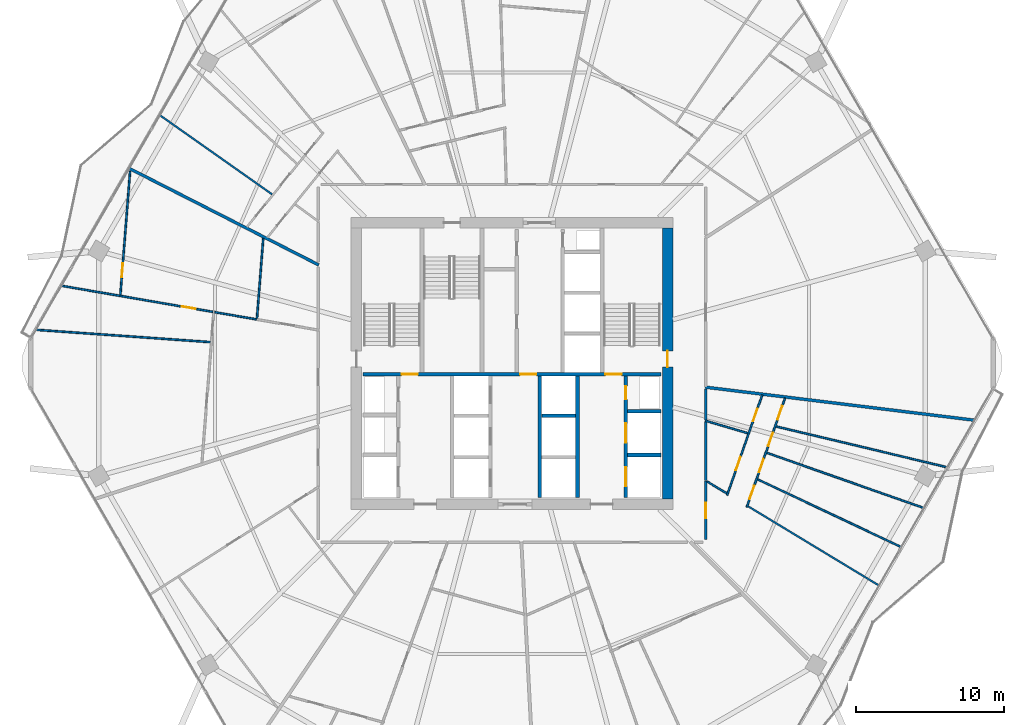
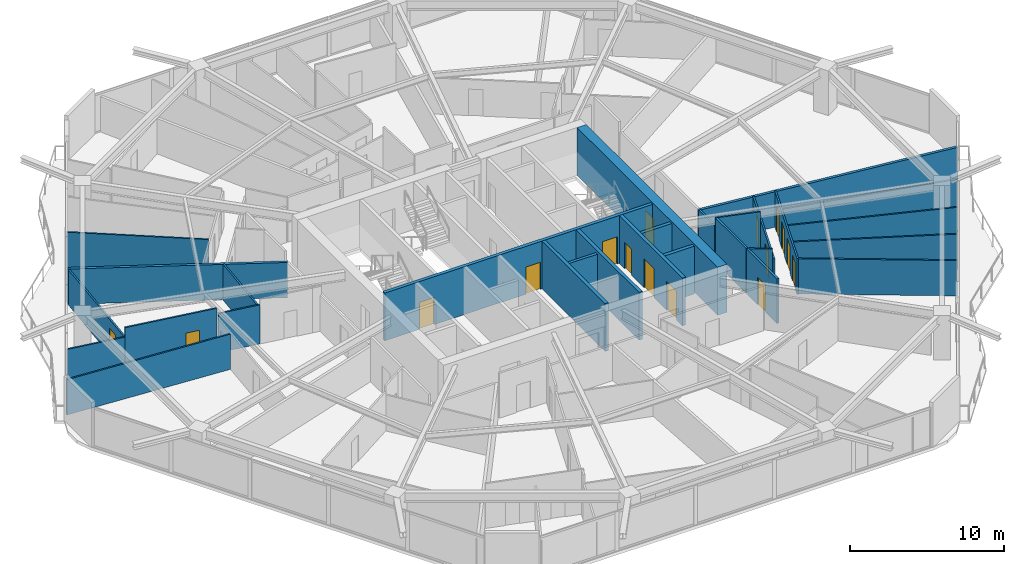
# One storey, part 25 of 32: 28 walls, 16 doors, 16 openings.
"""IFC4 building model written with IfcOpenShell, lengths in metres."""

from ifc_helpers import new_model, si_unit, direction, frame, frame_2d, origin, place, context, subcontext, project, spatial, rectangle, extrude, material, layer, layer_set, type_object, element, fill, save


model = new_model("IFC4")

# Units and contexts
model_context = context("Model", 3, precision=1e-05, world=origin(), true_north=direction((0.0, 1.0)))
body_context = subcontext(model_context, "Body", "Model", "MODEL_VIEW")
ifc_project = project(units=[si_unit("LENGTHUNIT", "METRE"), si_unit("AREAUNIT", "SQUARE_METRE"), si_unit("VOLUMEUNIT", "CUBIC_METRE"), si_unit("PLANEANGLEUNIT", "RADIAN"), si_unit("MASSUNIT", "GRAM", prefix="KILO")], contexts=[model_context])

# Site, building, storey
site_placement = place(None, origin())
site = spatial("IfcSite", under=ifc_project, at=site_placement, CompositionType="ELEMENT")
building_placement = place(site_placement, origin())
building = spatial("IfcBuilding", under=site, at=building_placement, Name="Zuhravey Tower", CompositionType="ELEMENT")
storey_placement = place(building_placement, frame((0.0, 0.0, 119.0)))
storey = spatial("IfcBuildingStorey", under=building, at=storey_placement, Name="L29", CompositionType="ELEMENT", Elevation=119.0)

# Wall, opening, door
ifc_material_1 = material(Name="Concrete C60/75", Category="concrete")
ifc_layer_1 = layer(ifc_material_1, 0.699951171875)
ifc_layer_set_1 = layer_set([ifc_layer_1], Name="Concrete C60/75")
wall_type_1 = type_object("IfcWallType", Name="Core Shear Wall 700", PredefinedType="SHEAR", material=ifc_layer_set_1)
wall_1_placement = place(storey_placement, frame((46.5, 22.85009765625, 0.0), z_axis=(0.0, 0.0, 1.0), x_axis=(0.0, 1.0, 0.0)))
wall_1 = element("IfcWall", 1, at=wall_1_placement, inside=storey, type_object=wall_type_1, Name="L29 East Core Shear Wall CW70", PredefinedType="SHEAR", context=body_context, shape_type="SweptSolid", body=[
    extrude(rectangle(XDim=18.2998046875, YDim=0.699951171875, at=frame_2d((9.14990234375, 0.0))), origin(), (0.0, 0.0, 1.0), 3.800048828125),
])
opening_1_placement = place(wall_1_placement, frame((8.89990234375, 0.0, 0.0)))
opening_1 = element("IfcOpeningElement", 2, at=opening_1_placement, cuts=wall_1, Name="Opening STD1", PredefinedType="OPENING", context=body_context, shape_type="SweptSolid", body=[
    extrude(rectangle(XDim=1.10009765625, YDim=2.14990234375, at=frame_2d((0.550048828125, 1.074951171875))), frame((0.0, 0.362060546875, 0.0), z_axis=(0.0, -1.0, 0.0), x_axis=(1.0, 0.0, 0.0)), (0.0, 0.0, 1.0), 0.723876953125),
])
ifc_material_2 = material(Name="Galvanised fire-rated steel leaf", Category="steel")
door_type_1 = type_object("IfcDoorType", Name="Protected Stair Fire Door 1100x2150", OperationType="NOTDEFINED", PredefinedType="USERDEFINED", material=ifc_material_2)
door_1_placement = place(opening_1_placement, origin())
door_1 = element("IfcDoor", 3, at=door_1_placement, inside=storey, type_object=door_type_1, Name="L29 Stair ST2 Door", ObjectType="EXITDOOR", OperationType="SINGLE_SWING_RIGHT", OverallHeight=2.14990234375, OverallWidth=1.10009765625, PredefinedType="USERDEFINED", context=body_context, shape_type="SweptSolid", body=[
    extrude(rectangle(XDim=1.10009765625, YDim=2.14990234375, at=frame_2d((0.550048828125, 1.074951171875))), frame((0.0, 0.02490234375, 0.0), z_axis=(0.0, -1.0, 0.0), x_axis=(1.0, 0.0, 0.0)), (0.0, 0.0, 1.0), 0.050048828125),
])
fill(opening_1, door_1)

ifc_material_3 = material(Name="Gypsum fire-rated stud partition")
ifc_layer_2 = layer(ifc_material_3, 0.159912109375)
ifc_layer_set_2 = layer_set([ifc_layer_2], Name="Gypsum fire-rated stud partition")
wall_type_2 = type_object("IfcWallType", Name="Corridor Fire Partition 160", PredefinedType="PARTITIONING", material=ifc_layer_set_2)
wall_2_placement = place(storey_placement, frame((49.080078125, 20.1005859375, 0.0), z_axis=(0.0, 0.0, 1.0), x_axis=(0.0, 1.0, 0.0)))
wall_2 = element("IfcWall", 4, at=wall_2_placement, inside=storey, type_object=wall_type_2, Name="L29 IW16 Partition 057", PredefinedType="PARTITIONING", context=body_context, shape_type="SweptSolid", body=[
    extrude(rectangle(XDim=3.960693359375, YDim=0.159912109375, at=frame_2d((1.98046875, 0.0))), origin(), (0.0, 0.0, 1.0), 3.550048828125),
])
opening_2_placement = place(wall_2_placement, frame((1.455322265625, 0.0, 0.0)))
opening_2 = element("IfcOpeningElement", 5, at=opening_2_placement, cuts=wall_2, Name="Opening APD1", PredefinedType="OPENING", context=body_context, shape_type="SweptSolid", body=[
    extrude(rectangle(XDim=1.050048828125, YDim=2.14990234375, at=frame_2d((0.52490234375, 1.074951171875))), frame((0.0, 0.092041015625, 0.0), z_axis=(0.0, -1.0, 0.0), x_axis=(1.0, 0.0, 0.0)), (0.0, 0.0, 1.0), 0.183837890625),
])
ifc_material_4 = material(Name="Solid-core oak fire-rated leaf")
door_type_2 = type_object("IfcDoorType", Name="Apartment Entrance Fire Door 1050x2150", OperationType="NOTDEFINED", PredefinedType="DOOR", material=ifc_material_4)
door_2_placement = place(opening_2_placement, frame((1.050048828125, 0.0, 0.0), z_axis=(0.0, 0.0, 1.0), x_axis=(-1.0, 0.0, 0.0)))
door_2 = element("IfcDoor", 6, at=door_2_placement, inside=storey, type_object=door_type_2, Name="L29 Door 057.1", OperationType="SINGLE_SWING_RIGHT", OverallHeight=2.14990234375, OverallWidth=1.050048828125, PredefinedType="DOOR", context=body_context, shape_type="SweptSolid", body=[
    extrude(rectangle(XDim=1.050048828125, YDim=2.14990234375, at=frame_2d((0.52490234375, 1.074951171875))), frame((0.0, 0.02490234375, 0.0), z_axis=(0.0, -1.0, 0.0), x_axis=(1.0, 0.0, 0.0)), (0.0, 0.0, 1.0), 0.050048828125),
])
fill(opening_2, door_2)

# Walls
wall_3_placement = place(storey_placement, frame((49.080078125, 24.108154296875, 0.0), z_axis=(0.0, 0.0, 1.0), x_axis=(0.0, 1.0, 0.0)))
element("IfcWall", 7, at=wall_3_placement, inside=storey, type_object=wall_type_2, Name="L29 IW16 Partition 127", PredefinedType="PARTITIONING", context=body_context, shape_type="SweptSolid", body=[
    extrude(rectangle(XDim=3.94677734375, YDim=0.159912109375, at=frame_2d((1.973388671875, 0.0))), origin(), (0.0, 0.0, 1.0), 3.550048828125),
])
wall_4_placement = place(storey_placement, frame((49.080078125, 28.19677734375, 0.0), z_axis=(0.0, 0.0, 1.0), x_axis=(0.0, 1.0, 0.0)))
element("IfcWall", 8, at=wall_4_placement, inside=storey, type_object=wall_type_2, Name="L29 IW16 Partition 128", PredefinedType="PARTITIONING", context=body_context, shape_type="SweptSolid", body=[
    extrude(rectangle(XDim=2.06103515625, YDim=0.159912109375, at=frame_2d((1.030517578125, 0.0))), origin(), (0.0, 0.0, 1.0), 2.85009765625),
])

# Wall, openings, doors
ifc_material_5 = material(Name="Concrete C50/60", Category="concrete")
ifc_layer_3 = layer(ifc_material_5, 0.25)
ifc_layer_set_3 = layer_set([ifc_layer_3], Name="Concrete C50/60")
wall_type_3 = type_object("IfcWallType", Name="Firefighting Shaft & Stair Wall 250", PredefinedType="SOLIDWALL", material=ifc_layer_set_3)
wall_5_placement = place(storey_placement, frame((25.949951171875, 31.27490234375, 0.0), z_axis=(0.0, 0.0, 1.0), x_axis=(1.0, 0.0, 0.0)))
wall_5 = element("IfcWall", 9, at=wall_5_placement, inside=storey, type_object=wall_type_3, Name="L29 FW25 Shaft Wall 003", PredefinedType="SOLIDWALL", context=body_context, shape_type="SweptSolid", body=[
    extrude(rectangle(XDim=20.10009765625, YDim=0.25, at=frame_2d((10.050048828125, 0.0))), origin(), (0.0, 0.0, 1.0), 3.800048828125),
])
opening_3_placement = place(wall_5_placement, frame((2.60009765625, 0.0, 0.0)))
opening_3 = element("IfcOpeningElement", 10, at=opening_3_placement, cuts=wall_5, Name="Opening STD1", PredefinedType="OPENING", context=body_context, shape_type="SweptSolid", body=[
    extrude(rectangle(XDim=1.10009765625, YDim=2.14990234375, at=frame_2d((0.550048828125, 1.074951171875))), frame((0.0, 0.136962890625, 0.0), z_axis=(0.0, -1.0, 0.0), x_axis=(1.0, 0.0, 0.0)), (0.0, 0.0, 1.0), 0.27392578125),
])
opening_4_placement = place(wall_5_placement, frame((10.60009765625, 0.0, 0.0)))
opening_4 = element("IfcOpeningElement", 11, at=opening_4_placement, cuts=wall_5, Name="Opening STD1", PredefinedType="OPENING", context=body_context, shape_type="SweptSolid", body=[
    extrude(rectangle(XDim=1.10009765625, YDim=2.14990234375, at=frame_2d((0.550048828125, 1.074951171875))), frame((0.0, 0.136962890625, 0.0), z_axis=(0.0, -1.0, 0.0), x_axis=(1.0, 0.0, 0.0)), (0.0, 0.0, 1.0), 0.27392578125),
])
opening_5_placement = place(wall_5_placement, frame((16.35009765625, 0.0, 0.0)))
opening_5 = element("IfcOpeningElement", 12, at=opening_5_placement, cuts=wall_5, Name="Opening STD1", PredefinedType="OPENING", context=body_context, shape_type="SweptSolid", body=[
    extrude(rectangle(XDim=1.10009765625, YDim=2.14990234375, at=frame_2d((0.550048828125, 1.074951171875))), frame((0.0, 0.136962890625, 0.0), z_axis=(0.0, -1.0, 0.0), x_axis=(1.0, 0.0, 0.0)), (0.0, 0.0, 1.0), 0.27392578125),
])
door_3_placement = place(opening_3_placement, origin())
door_3 = element("IfcDoor", 13, at=door_3_placement, inside=storey, type_object=door_type_1, Name="L29 FFL-W to ST1 Door", ObjectType="EXITDOOR", OperationType="SINGLE_SWING_RIGHT", OverallHeight=2.14990234375, OverallWidth=1.10009765625, PredefinedType="USERDEFINED", context=body_context, shape_type="SweptSolid", body=[
    extrude(rectangle(XDim=1.10009765625, YDim=2.14990234375, at=frame_2d((0.550048828125, 1.074951171875))), frame((0.0, 0.02490234375, 0.0), z_axis=(0.0, -1.0, 0.0), x_axis=(1.0, 0.0, 0.0)), (0.0, 0.0, 1.0), 0.050048828125),
])
fill(opening_3, door_3)
door_4_placement = place(opening_4_placement, origin())
door_4 = element("IfcDoor", 14, at=door_4_placement, inside=storey, type_object=door_type_1, Name="L29 Core Lobby Link Door", ObjectType="EXITDOOR", OperationType="SINGLE_SWING_LEFT", OverallHeight=2.14990234375, OverallWidth=1.10009765625, PredefinedType="USERDEFINED", context=body_context, shape_type="SweptSolid", body=[
    extrude(rectangle(XDim=1.10009765625, YDim=2.14990234375, at=frame_2d((0.550048828125, 1.074951171875))), frame((0.0, 0.02490234375, 0.0), z_axis=(0.0, -1.0, 0.0), x_axis=(1.0, 0.0, 0.0)), (0.0, 0.0, 1.0), 0.050048828125),
])
fill(opening_4, door_4)
door_5_placement = place(opening_5_placement, origin())
door_5 = element("IfcDoor", 15, at=door_5_placement, inside=storey, type_object=door_type_1, Name="L29 FFL-E to ST2 Door", ObjectType="EXITDOOR", OperationType="SINGLE_SWING_RIGHT", OverallHeight=2.14990234375, OverallWidth=1.10009765625, PredefinedType="USERDEFINED", context=body_context, shape_type="SweptSolid", body=[
    extrude(rectangle(XDim=1.10009765625, YDim=2.14990234375, at=frame_2d((0.550048828125, 1.074951171875))), frame((0.0, 0.02490234375, 0.0), z_axis=(0.0, -1.0, 0.0), x_axis=(1.0, 0.0, 0.0)), (0.0, 0.0, 1.0), 0.050048828125),
])
fill(opening_5, door_5)

# Walls
for number, where, z_axis, x_axis, name in (
    (16, (37.875, 22.949951171875, 0.0), (0.0, 0.0, 1.0), (0.0, 1.0, 0.0), "L29 FW25 Shaft Wall 014"),
    (17, (40.425048828125, 22.949951171875, 0.0), (0.0, 0.0, 1.0), (0.0, 1.0, 0.0), "L29 FW25 Shaft Wall 015"),
):
    element("IfcWall", number, at=place(storey_placement, frame(where, z_axis=z_axis, x_axis=x_axis)), inside=storey, type_object=wall_type_3, Name=name, PredefinedType="SOLIDWALL", context=body_context, shape_type="SweptSolid", body=[
        extrude(rectangle(XDim=8.199951171875, YDim=0.25, at=frame_2d((4.10009765625, 0.0))), origin(), (0.0, 0.0, 1.0), 3.800048828125),
    ])
for number, where, z_axis, x_axis, name in (
    (18, (43.800048828125, 25.824951171875, 0.0), (0.0, 0.0, 1.0), (1.0, 0.0, 0.0), "L29 FW25 Shaft Wall 016"),
    (19, (43.800048828125, 28.77490234375, 0.0), (0.0, 0.0, 1.0), (1.0, 0.0, 0.0), "L29 FW25 Shaft Wall 017"),
):
    element("IfcWall", number, at=place(storey_placement, frame(where, z_axis=z_axis, x_axis=x_axis)), inside=storey, type_object=wall_type_3, Name=name, PredefinedType="SOLIDWALL", context=body_context, shape_type="SweptSolid", body=[
        extrude(rectangle(XDim=2.25, YDim=0.25, at=frame_2d((1.125, 0.0))), origin(), (0.0, 0.0, 1.0), 3.800048828125),
    ])

# Wall, openings, doors
wall_6_placement = place(storey_placement, frame((43.675048828125, 22.949951171875, 0.0), z_axis=(0.0, 0.0, 1.0), x_axis=(0.0, 1.0, 0.0)))
wall_6 = element("IfcWall", 20, at=wall_6_placement, inside=storey, type_object=wall_type_3, Name="L29 FW25 Shaft Wall 018", PredefinedType="SOLIDWALL", context=body_context, shape_type="SweptSolid", body=[
    extrude(rectangle(XDim=8.199951171875, YDim=0.25, at=frame_2d((4.10009765625, 0.0))), origin(), (0.0, 0.0, 1.0), 3.800048828125),
])
opening_6_placement = place(wall_6_placement, frame((0.75, 0.0, 0.0)))
opening_6 = element("IfcOpeningElement", 21, at=opening_6_placement, cuts=wall_6, Name="Opening LD2", PredefinedType="OPENING", context=body_context, shape_type="SweptSolid", body=[
    extrude(rectangle(XDim=1.300048828125, YDim=2.300048828125, at=frame_2d((0.64990234375, 1.14990234375))), frame((0.0, 0.136962890625, 0.0), z_axis=(0.0, -1.0, 0.0), x_axis=(1.0, 0.0, 0.0)), (0.0, 0.0, 1.0), 0.27392578125),
])
opening_7_placement = place(wall_6_placement, frame((3.699951171875, 0.0, 0.0)))
opening_7 = element("IfcOpeningElement", 22, at=opening_7_placement, cuts=wall_6, Name="Opening LD2", PredefinedType="OPENING", context=body_context, shape_type="SweptSolid", body=[
    extrude(rectangle(XDim=1.300048828125, YDim=2.300048828125, at=frame_2d((0.64990234375, 1.14990234375))), frame((0.0, 0.136962890625, 0.0), z_axis=(0.0, -1.0, 0.0), x_axis=(1.0, 0.0, 0.0)), (0.0, 0.0, 1.0), 0.27392578125),
])
opening_8_placement = place(wall_6_placement, frame((6.6201171875, 0.0, 0.0)))
opening_8 = element("IfcOpeningElement", 23, at=opening_8_placement, cuts=wall_6, Name="Opening RSD1", PredefinedType="OPENING", context=body_context, shape_type="SweptSolid", body=[
    extrude(rectangle(XDim=0.89990234375, YDim=2.10009765625, at=frame_2d((0.449951171875, 1.050048828125))), frame((0.0, 0.136962890625, 0.0), z_axis=(0.0, -1.0, 0.0), x_axis=(1.0, 0.0, 0.0)), (0.0, 0.0, 1.0), 0.27392578125),
])
ifc_material_6 = material(Name="Brushed stainless steel", Category="steel")
door_type_3 = type_object("IfcDoorType", Name="Freight & Stretcher Lift Sliding Door 1300x2300", OperationType="DOUBLE_DOOR_SLIDING", PredefinedType="DOOR", material=ifc_material_6)
door_6_placement = place(opening_6_placement, origin())
door_6 = element("IfcDoor", 24, at=door_6_placement, inside=storey, type_object=door_type_3, Name="L29 Lift FF2 Landing Door", OperationType="DOUBLE_DOOR_SLIDING", OverallHeight=2.300048828125, OverallWidth=1.300048828125, PredefinedType="DOOR", context=body_context, shape_type="SweptSolid", body=[
    extrude(rectangle(XDim=1.300048828125, YDim=2.300048828125, at=frame_2d((0.64990234375, 1.14990234375))), frame((0.0, 0.02490234375, 0.0), z_axis=(0.0, -1.0, 0.0), x_axis=(1.0, 0.0, 0.0)), (0.0, 0.0, 1.0), 0.050048828125),
])
fill(opening_6, door_6)
door_7_placement = place(opening_7_placement, origin())
door_7 = element("IfcDoor", 25, at=door_7_placement, inside=storey, type_object=door_type_3, Name="L29 Lift SV1 Landing Door", OperationType="DOUBLE_DOOR_SLIDING", OverallHeight=2.300048828125, OverallWidth=1.300048828125, PredefinedType="DOOR", context=body_context, shape_type="SweptSolid", body=[
    extrude(rectangle(XDim=1.300048828125, YDim=2.300048828125, at=frame_2d((0.64990234375, 1.14990234375))), frame((0.0, 0.02490234375, 0.0), z_axis=(0.0, -1.0, 0.0), x_axis=(1.0, 0.0, 0.0)), (0.0, 0.0, 1.0), 0.050048828125),
])
fill(opening_7, door_7)
ifc_material_7 = material(Name="Galvanised fire-rated steel access leaf", Category="steel")
door_type_4 = type_object("IfcDoorType", Name="Riser & Shaft Access Fire Door 900x2100", OperationType="NOTDEFINED", PredefinedType="DOOR", material=ifc_material_7)
door_8_placement = place(opening_8_placement, origin())
door_8 = element("IfcDoor", 26, at=door_8_placement, inside=storey, type_object=door_type_4, Name="L29 Plumbing Riser Door", OperationType="SINGLE_SWING_RIGHT", OverallHeight=2.10009765625, OverallWidth=0.89990234375, PredefinedType="DOOR", context=body_context, shape_type="SweptSolid", body=[
    extrude(rectangle(XDim=0.89990234375, YDim=2.10009765625, at=frame_2d((0.449951171875, 1.050048828125))), frame((0.0, 0.02490234375, 0.0), z_axis=(0.0, -1.0, 0.0), x_axis=(1.0, 0.0, 0.0)), (0.0, 0.0, 1.0), 0.050048828125),
])
fill(opening_8, door_8)

# Walls
ifc_material_8 = material(Name="Gypsum double-stud party assembly")
ifc_layer_4 = layer(ifc_material_8, 0.199951171875)
ifc_layer_set_4 = layer_set([ifc_layer_4], Name="Gypsum double-stud party assembly")
wall_type_4 = type_object("IfcWallType", Name="Inter-Tenancy Party Wall 200", PredefinedType="PARTITIONING", material=ifc_layer_set_4)
wall_7_placement = place(storey_placement, frame((22.9599609375, 38.644287109375, 0.0), z_axis=(0.0, 0.0, 1.0), x_axis=(-0.891012124705, 0.453979507939, 0.0)))
element("IfcWall", 27, at=wall_7_placement, inside=storey, type_object=wall_type_4, Name="L29 IW20 Partition 087", PredefinedType="PARTITIONING", context=body_context, shape_type="SweptSolid", body=[
    extrude(rectangle(XDim=14.363037109375, YDim=0.199951171875, at=frame_2d((7.181640625, 0.0))), origin(), (0.0, 0.0, 1.0), 2.800048828125),
])
wall_8_placement = place(storey_placement, frame((49.0400390625, 30.39892578125, 0.0), z_axis=(0.0, 0.0, 1.0), x_axis=(0.99254551981, -0.121874489148, 0.0)))
element("IfcWall", 28, at=wall_8_placement, inside=storey, type_object=wall_type_4, Name="L29 IW20 Partition 113", PredefinedType="PARTITIONING", context=body_context, shape_type="SweptSolid", body=[
    extrude(rectangle(XDim=18.3212890625, YDim=0.199951171875, at=frame_2d((9.16064453125, 0.0))), origin(), (0.0, 0.0, 1.0), 2.800048828125),
])
ifc_material_9 = material(Name="Gypsum acoustic stud assembly")
ifc_layer_5 = layer(ifc_material_9, 0.219970703125)
ifc_layer_set_5 = layer_set([ifc_layer_5], Name="Gypsum acoustic stud assembly")
wall_type_5 = type_object("IfcWallType", Name="School Acoustic Compartment Wall 220", PredefinedType="PARTITIONING", material=ifc_layer_set_5)
wall_9_placement = place(storey_placement, frame((38.008056640625, 28.47509765625, 0.0), z_axis=(0.0, 0.0, 1.0), x_axis=(1.0, 0.0, 0.0)))
element("IfcWall", 29, at=wall_9_placement, inside=storey, type_object=wall_type_5, Name="L29 IW22 Partition 066", PredefinedType="PARTITIONING", context=body_context, shape_type="SweptSolid", body=[
    extrude(rectangle(XDim=2.283935546875, YDim=0.219970703125, at=frame_2d((1.14208984375, 0.0))), origin(), (0.0, 0.0, 1.0), 3.550048828125),
])
ifc_material_10 = material(Name="Gypsum metal-stud partition")
ifc_layer_6 = layer(ifc_material_10, 0.1201171875)
ifc_layer_set_6 = layer_set([ifc_layer_6], Name="Gypsum metal-stud partition")
wall_type_6 = type_object("IfcWallType", Name="Unit Internal Partition 120", PredefinedType="PARTITIONING", material=ifc_layer_set_6)
wall_10_placement = place(storey_placement, frame((18.755859375, 34.972412109375, 0.0), z_axis=(0.0, 0.0, 1.0), x_axis=(-0.985473922691, 0.169826816774, 0.0)))
element("IfcWall", 30, at=wall_10_placement, inside=storey, type_object=wall_type_6, Name="L29 IW12 Partition 035", PredefinedType="PARTITIONING", context=body_context, shape_type="SweptSolid", body=[
    extrude(rectangle(XDim=2.85791015625, YDim=0.1201171875, at=frame_2d((1.428955078125, 0.0))), origin(), (0.0, 0.0, 1.0), 3.10009765625),
])

# Wall, opening, door
wall_11_placement = place(storey_placement, frame((15.804931640625, 35.48095703125, 0.0), z_axis=(0.0, 0.0, 1.0), x_axis=(-0.985468091592, 0.169860650105, 0.0)))
wall_11 = element("IfcWall", 31, at=wall_11_placement, inside=storey, type_object=wall_type_6, Name="L29 IW12 Partition 036", PredefinedType="PARTITIONING", context=body_context, shape_type="SweptSolid", body=[
    extrude(rectangle(XDim=6.361572265625, YDim=0.1201171875, at=frame_2d((3.1806640625, 0.0))), origin(), (0.0, 0.0, 1.0), 3.550048828125),
])
opening_9_placement = place(wall_11_placement, frame((1.18359375, 0.0, 0.0)))
opening_9 = element("IfcOpeningElement", 32, at=opening_9_placement, cuts=wall_11, Name="Opening IND1", PredefinedType="OPENING", context=body_context, shape_type="SweptSolid", body=[
    extrude(rectangle(XDim=0.949951171875, YDim=2.10009765625, at=frame_2d((0.47509765625, 1.050048828125))), frame((0.0, 0.072021484375, 0.0), z_axis=(0.0, -1.0, 0.0), x_axis=(1.0, 0.0, 0.0)), (0.0, 0.0, 1.0), 0.14404296875),
])
ifc_material_11 = material(Name="Painted engineered timber leaf", Category="wood")
door_type_5 = type_object("IfcDoorType", Name="Internal Room & Bedroom Door 950x2100", OperationType="NOTDEFINED", PredefinedType="DOOR", material=ifc_material_11)
door_9_placement = place(opening_9_placement, frame((0.949951171875, 0.0, 0.0), z_axis=(0.0, 0.0, 1.0), x_axis=(-1.0, 0.0, 0.0)))
door_9 = element("IfcDoor", 33, at=door_9_placement, inside=storey, type_object=door_type_5, Name="Apartment L29-04 Home Office Door", OperationType="SINGLE_SWING_LEFT", OverallHeight=2.10009765625, OverallWidth=0.949951171875, PredefinedType="DOOR", context=body_context, shape_type="SweptSolid", body=[
    extrude(rectangle(XDim=0.949951171875, YDim=2.10009765625, at=frame_2d((0.47509765625, 1.050048828125))), frame((0.0, 0.02490234375, 0.0), z_axis=(0.0, -1.0, 0.0), x_axis=(1.0, 0.0, 0.0)), (0.0, 0.0, 1.0), 0.050048828125),
])
fill(opening_9, door_9)

wall_12_placement = place(storey_placement, frame((10.22216796875, 44.964111328125, 0.0), z_axis=(0.0, 0.0, 1.0), x_axis=(-0.078457448152, -0.996917463399, 0.0)))
wall_12 = element("IfcWall", 34, at=wall_12_placement, inside=storey, type_object=wall_type_6, Name="L29 IW12 Partition 037", PredefinedType="PARTITIONING", context=body_context, shape_type="SweptSolid", body=[
    extrude(rectangle(XDim=8.364501953125, YDim=0.1201171875, at=frame_2d((4.18212890625, 0.0))), origin(), (0.0, 0.0, 1.0), 2.800048828125),
])
opening_10_placement = place(wall_12_placement, frame((6.211669921875, 0.0, 0.0)))
opening_10 = element("IfcOpeningElement", 35, at=opening_10_placement, cuts=wall_12, Name="Opening IND1", PredefinedType="OPENING", context=body_context, shape_type="SweptSolid", body=[
    extrude(rectangle(XDim=0.949951171875, YDim=2.10009765625, at=frame_2d((0.47509765625, 1.050048828125))), frame((0.0, 0.072021484375, 0.0), z_axis=(0.0, -1.0, 0.0), x_axis=(1.0, 0.0, 0.0)), (0.0, 0.0, 1.0), 0.14404296875),
])
door_10_placement = place(opening_10_placement, frame((0.949951171875, 0.0, 0.0), z_axis=(0.0, 0.0, 1.0), x_axis=(-1.0, 0.0, 0.0)))
door_10 = element("IfcDoor", 36, at=door_10_placement, inside=storey, type_object=door_type_5, Name="Apartment L29-04 Bedroom 1 Door", OperationType="SINGLE_SWING_RIGHT", OverallHeight=2.10009765625, OverallWidth=0.949951171875, PredefinedType="DOOR", context=body_context, shape_type="SweptSolid", body=[
    extrude(rectangle(XDim=0.949951171875, YDim=2.10009765625, at=frame_2d((0.47509765625, 1.050048828125))), frame((0.0, 0.02490234375, 0.0), z_axis=(0.0, -1.0, 0.0), x_axis=(1.0, 0.0, 0.0)), (0.0, 0.0, 1.0), 0.050048828125),
])
fill(opening_10, door_10)

# Wall, openings, doors
wall_13_placement = place(storey_placement, frame((50.513916015625, 23.10009765625, 0.0), z_axis=(0.0, 0.0, 1.0), x_axis=(0.331189129745, 0.943564391199, 0.0)))
wall_13 = element("IfcWall", 37, at=wall_13_placement, inside=storey, type_object=wall_type_6, Name="L29 IW12 Partition 055", PredefinedType="PARTITIONING", context=body_context, shape_type="SweptSolid", body=[
    extrude(rectangle(XDim=7.18212890625, YDim=0.1201171875, at=frame_2d((3.591064453125, 0.0))), origin(), (0.0, 0.0, 1.0), 2.85009765625),
])
opening_11_placement = place(wall_13_placement, frame((1.78466796875, 0.0, 0.0)))
opening_11 = element("IfcOpeningElement", 38, at=opening_11_placement, cuts=wall_13, Name="Opening IND1", PredefinedType="OPENING", context=body_context, shape_type="SweptSolid", body=[
    extrude(rectangle(XDim=0.949951171875, YDim=2.10009765625, at=frame_2d((0.47509765625, 1.050048828125))), frame((0.0, 0.072021484375, 0.0), z_axis=(0.0, -1.0, 0.0), x_axis=(1.0, 0.0, 0.0)), (0.0, 0.0, 1.0), 0.14404296875),
])
opening_12_placement = place(wall_13_placement, frame((5.298583984375, 0.0, 0.0)))
opening_12 = element("IfcOpeningElement", 39, at=opening_12_placement, cuts=wall_13, Name="Opening WCD1", PredefinedType="OPENING", context=body_context, shape_type="SweptSolid", body=[
    extrude(rectangle(XDim=0.89990234375, YDim=2.10009765625, at=frame_2d((0.449951171875, 1.050048828125))), frame((0.0, 0.072021484375, 0.0), z_axis=(0.0, -1.0, 0.0), x_axis=(1.0, 0.0, 0.0)), (0.0, 0.0, 1.0), 0.14404296875),
])
ifc_material_12 = material(Name="Moisture-resistant timber leaf", Category="wood")
door_type_6 = type_object("IfcDoorType", Name="Bathroom & WC Internal Door 900x2100", OperationType="NOTDEFINED", PredefinedType="DOOR", material=ifc_material_12)
door_11_placement = place(opening_12_placement, origin())
door_11 = element("IfcDoor", 40, at=door_11_placement, inside=storey, type_object=door_type_6, Name="Apartment L29-08 Bathroom Door", OperationType="SINGLE_SWING_LEFT", OverallHeight=2.10009765625, OverallWidth=0.89990234375, PredefinedType="DOOR", context=body_context, shape_type="SweptSolid", body=[
    extrude(rectangle(XDim=0.89990234375, YDim=2.10009765625, at=frame_2d((0.449951171875, 1.050048828125))), frame((0.0, 0.02490234375, 0.0), z_axis=(0.0, -1.0, 0.0), x_axis=(1.0, 0.0, 0.0)), (0.0, 0.0, 1.0), 0.050048828125),
])
fill(opening_12, door_11)
door_12_placement = place(opening_11_placement, origin())
door_12 = element("IfcDoor", 41, at=door_12_placement, inside=storey, type_object=door_type_5, Name="Apartment L29-08 Kitchen Door", OperationType="SINGLE_SWING_RIGHT", OverallHeight=2.10009765625, OverallWidth=0.949951171875, PredefinedType="DOOR", context=body_context, shape_type="SweptSolid", body=[
    extrude(rectangle(XDim=0.949951171875, YDim=2.10009765625, at=frame_2d((0.47509765625, 1.050048828125))), frame((0.0, 0.02490234375, 0.0), z_axis=(0.0, -1.0, 0.0), x_axis=(1.0, 0.0, 0.0)), (0.0, 0.0, 1.0), 0.050048828125),
])
fill(opening_11, door_12)

wall_14_placement = place(storey_placement, frame((51.8427734375, 22.2958984375, 0.0), z_axis=(0.0, 0.0, 1.0), x_axis=(0.331165256289, 0.943572770393, 0.0)))
wall_14 = element("IfcWall", 42, at=wall_14_placement, inside=storey, type_object=wall_type_6, Name="L29 IW12 Partition 056", PredefinedType="PARTITIONING", context=body_context, shape_type="SweptSolid", body=[
    extrude(rectangle(XDim=7.819580078125, YDim=0.1201171875, at=frame_2d((3.90966796875, 0.0))), origin(), (0.0, 0.0, 1.0), 2.85009765625),
])
opening_13_placement = place(wall_14_placement, frame((0.588134765625, 0.0, 0.0)))
opening_13 = element("IfcOpeningElement", 43, at=opening_13_placement, cuts=wall_14, Name="Opening IND1", PredefinedType="OPENING", context=body_context, shape_type="SweptSolid", body=[
    extrude(rectangle(XDim=0.949951171875, YDim=2.10009765625, at=frame_2d((0.47509765625, 1.050048828125))), frame((0.0, 0.072021484375, 0.0), z_axis=(0.0, -1.0, 0.0), x_axis=(1.0, 0.0, 0.0)), (0.0, 0.0, 1.0), 0.14404296875),
])
opening_14_placement = place(wall_14_placement, frame((2.492919921875, 0.0, 0.0)))
opening_14 = element("IfcOpeningElement", 44, at=opening_14_placement, cuts=wall_14, Name="Opening IND1", PredefinedType="OPENING", context=body_context, shape_type="SweptSolid", body=[
    extrude(rectangle(XDim=0.949951171875, YDim=2.10009765625, at=frame_2d((0.47509765625, 1.050048828125))), frame((0.0, 0.072021484375, 0.0), z_axis=(0.0, -1.0, 0.0), x_axis=(1.0, 0.0, 0.0)), (0.0, 0.0, 1.0), 0.14404296875),
])
opening_15_placement = place(wall_14_placement, frame((4.376708984375, 0.0, 0.0)))
opening_15 = element("IfcOpeningElement", 45, at=opening_15_placement, cuts=wall_14, Name="Opening IND1", PredefinedType="OPENING", context=body_context, shape_type="SweptSolid", body=[
    extrude(rectangle(XDim=0.949951171875, YDim=2.10009765625, at=frame_2d((0.47509765625, 1.050048828125))), frame((0.0, 0.072021484375, 0.0), z_axis=(0.0, -1.0, 0.0), x_axis=(1.0, 0.0, 0.0)), (0.0, 0.0, 1.0), 0.14404296875),
])
opening_16_placement = place(wall_14_placement, frame((6.28125, 0.0, 0.0)))
opening_16 = element("IfcOpeningElement", 46, at=opening_16_placement, cuts=wall_14, Name="Opening IND1", PredefinedType="OPENING", context=body_context, shape_type="SweptSolid", body=[
    extrude(rectangle(XDim=0.949951171875, YDim=2.10009765625, at=frame_2d((0.47509765625, 1.050048828125))), frame((0.0, 0.072021484375, 0.0), z_axis=(0.0, -1.0, 0.0), x_axis=(1.0, 0.0, 0.0)), (0.0, 0.0, 1.0), 0.14404296875),
])
door_13_placement = place(opening_13_placement, frame((0.949951171875, 0.0, 0.0), z_axis=(0.0, 0.0, 1.0), x_axis=(-1.0, 0.0, 0.0)))
door_13 = element("IfcDoor", 47, at=door_13_placement, inside=storey, type_object=door_type_5, Name="Apartment L29-08 Bedroom 1 Door", OperationType="SINGLE_SWING_RIGHT", OverallHeight=2.10009765625, OverallWidth=0.949951171875, PredefinedType="DOOR", context=body_context, shape_type="SweptSolid", body=[
    extrude(rectangle(XDim=0.949951171875, YDim=2.10009765625, at=frame_2d((0.47509765625, 1.050048828125))), frame((0.0, 0.02490234375, 0.0), z_axis=(0.0, -1.0, 0.0), x_axis=(1.0, 0.0, 0.0)), (0.0, 0.0, 1.0), 0.050048828125),
])
fill(opening_13, door_13)
door_14_placement = place(opening_14_placement, frame((0.949951171875, 0.0, 0.0), z_axis=(0.0, 0.0, 1.0), x_axis=(-1.0, 0.0, 0.0)))
door_14 = element("IfcDoor", 48, at=door_14_placement, inside=storey, type_object=door_type_5, Name="Apartment L29-08 Bedroom 2 Door", OperationType="SINGLE_SWING_LEFT", OverallHeight=2.10009765625, OverallWidth=0.949951171875, PredefinedType="DOOR", context=body_context, shape_type="SweptSolid", body=[
    extrude(rectangle(XDim=0.949951171875, YDim=2.10009765625, at=frame_2d((0.47509765625, 1.050048828125))), frame((0.0, 0.02490234375, 0.0), z_axis=(0.0, -1.0, 0.0), x_axis=(1.0, 0.0, 0.0)), (0.0, 0.0, 1.0), 0.050048828125),
])
fill(opening_14, door_14)
door_15_placement = place(opening_15_placement, frame((0.949951171875, 0.0, 0.0), z_axis=(0.0, 0.0, 1.0), x_axis=(-1.0, 0.0, 0.0)))
door_15 = element("IfcDoor", 49, at=door_15_placement, inside=storey, type_object=door_type_5, Name="Apartment L29-08 Bedroom 3 Door", OperationType="SINGLE_SWING_RIGHT", OverallHeight=2.10009765625, OverallWidth=0.949951171875, PredefinedType="DOOR", context=body_context, shape_type="SweptSolid", body=[
    extrude(rectangle(XDim=0.949951171875, YDim=2.10009765625, at=frame_2d((0.47509765625, 1.050048828125))), frame((0.0, 0.02490234375, 0.0), z_axis=(0.0, -1.0, 0.0), x_axis=(1.0, 0.0, 0.0)), (0.0, 0.0, 1.0), 0.050048828125),
])
fill(opening_15, door_15)
door_16_placement = place(opening_16_placement, frame((0.949951171875, 0.0, 0.0), z_axis=(0.0, 0.0, 1.0), x_axis=(-1.0, 0.0, 0.0)))
door_16 = element("IfcDoor", 50, at=door_16_placement, inside=storey, type_object=door_type_5, Name="Apartment L29-08 Bedroom 4 Door", OperationType="SINGLE_SWING_LEFT", OverallHeight=2.10009765625, OverallWidth=0.949951171875, PredefinedType="DOOR", context=body_context, shape_type="SweptSolid", body=[
    extrude(rectangle(XDim=0.949951171875, YDim=2.10009765625, at=frame_2d((0.47509765625, 1.050048828125))), frame((0.0, 0.02490234375, 0.0), z_axis=(0.0, -1.0, 0.0), x_axis=(1.0, 0.0, 0.0)), (0.0, 0.0, 1.0), 0.050048828125),
])
fill(opening_16, door_16)

# Walls
wall_15_placement = place(storey_placement, frame((19.808837890625, 43.4130859375, 0.0), z_axis=(0.0, 0.0, 1.0), x_axis=(-0.817344716763, 0.57614895121, 0.0)))
element("IfcWall", 51, at=wall_15_placement, inside=storey, type_object=wall_type_6, Name="L29 IW12 Partition 083", PredefinedType="PARTITIONING", context=body_context, shape_type="SweptSolid", body=[
    extrude(rectangle(XDim=9.27783203125, YDim=0.1201171875, at=frame_2d((4.638916015625, 0.0))), origin(), (0.0, 0.0, 1.0), 2.800048828125),
])
wall_16_placement = place(storey_placement, frame((15.64404296875, 33.43798828125, 0.0), z_axis=(0.0, 0.0, 1.0), x_axis=(-0.997515449917, 0.070448045941, 0.0)))
element("IfcWall", 52, at=wall_16_placement, inside=storey, type_object=wall_type_6, Name="L29 IW12 Partition 088", PredefinedType="PARTITIONING", context=body_context, shape_type="SweptSolid", body=[
    extrude(rectangle(XDim=11.834716796875, YDim=0.1201171875, at=frame_2d((5.91748046875, 0.0))), origin(), (0.0, 0.0, 1.0), 2.800048828125),
])
wall_17_placement = place(storey_placement, frame((9.535888671875, 36.5615234375, 0.0), z_axis=(0.0, 0.0, 1.0), x_axis=(-0.985463631193, 0.169886525644, 0.0)))
element("IfcWall", 53, at=wall_17_placement, inside=storey, type_object=wall_type_6, Name="L29 IW12 Partition 090", PredefinedType="PARTITIONING", context=body_context, shape_type="SweptSolid", body=[
    extrude(rectangle(XDim=4.009521484375, YDim=0.1201171875, at=frame_2d((2.0048828125, 0.0))), origin(), (0.0, 0.0, 1.0), 2.800048828125),
])
wall_18_placement = place(storey_placement, frame((19.210693359375, 40.433349609375, 0.0), z_axis=(0.0, 0.0, 1.0), x_axis=(-0.078465431449, -0.996916835081, 0.0)))
element("IfcWall", 54, at=wall_18_placement, inside=storey, type_object=wall_type_6, Name="L29 IW12 Partition 091", PredefinedType="PARTITIONING", context=body_context, shape_type="SweptSolid", body=[
    extrude(rectangle(XDim=5.413818359375, YDim=0.1201171875, at=frame_2d((2.70703125, 0.0))), origin(), (0.0, 0.0, 1.0), 2.85009765625),
])
wall_19_placement = place(storey_placement, frame((49.030029296875, 28.140625, 0.0), z_axis=(0.0, 0.0, 1.0), x_axis=(0.958846452048, -0.283925133433, 0.0)))
element("IfcWall", 55, at=wall_19_placement, inside=storey, type_object=wall_type_6, Name="L29 IW12 Partition 107", PredefinedType="PARTITIONING", context=body_context, shape_type="SweptSolid", body=[
    extrude(rectangle(XDim=3.00537109375, YDim=0.1201171875, at=frame_2d((1.502685546875, 0.0))), origin(), (0.0, 0.0, 1.0), 3.550048828125),
])
wall_20_placement = place(storey_placement, frame((52.57568359375, 24.178955078125, 0.0), z_axis=(0.0, 0.0, 1.0), x_axis=(0.904375150032, -0.42673831326, 0.0)))
element("IfcWall", 56, at=wall_20_placement, inside=storey, type_object=wall_type_6, Name="L29 IW12 Partition 108", PredefinedType="PARTITIONING", context=body_context, shape_type="SweptSolid", body=[
    extrude(rectangle(XDim=10.739501953125, YDim=0.1201171875, at=frame_2d((5.36962890625, 0.0))), origin(), (0.0, 0.0, 1.0), 2.800048828125),
])
wall_21_placement = place(storey_placement, frame((53.20166015625, 25.962646484375, 0.0), z_axis=(0.0, 0.0, 1.0), x_axis=(0.943569995537, -0.331173162443, 0.0)))
element("IfcWall", 57, at=wall_21_placement, inside=storey, type_object=wall_type_6, Name="L29 IW12 Partition 109", PredefinedType="PARTITIONING", context=body_context, shape_type="SweptSolid", body=[
    extrude(rectangle(XDim=11.246826171875, YDim=0.1201171875, at=frame_2d((5.62353515625, 0.0))), origin(), (0.0, 0.0, 1.0), 2.800048828125),
])
wall_22_placement = place(storey_placement, frame((53.82763671875, 27.74609375, 0.0), z_axis=(0.0, 0.0, 1.0), x_axis=(0.972698440047, -0.232072714314, 0.0)))
element("IfcWall", 58, at=wall_22_placement, inside=storey, type_object=wall_type_6, Name="L29 IW12 Partition 110", PredefinedType="PARTITIONING", context=body_context, shape_type="SweptSolid", body=[
    extrude(rectangle(XDim=11.89697265625, YDim=0.1201171875, at=frame_2d((5.948486328125, 0.0))), origin(), (0.0, 0.0, 1.0), 2.800048828125),
])
wall_23_placement = place(storey_placement, frame((49.16796875, 24.031494140625, 0.0), z_axis=(0.0, 0.0, 1.0), x_axis=(0.855518519858, -0.517772210706, 0.0)))
element("IfcWall", 59, at=wall_23_placement, inside=storey, type_object=wall_type_6, Name="L29 IW12 Partition 111", PredefinedType="PARTITIONING", context=body_context, shape_type="SweptSolid", body=[
    extrude(rectangle(XDim=1.543212890625, YDim=0.1201171875, at=frame_2d((0.771484375, 0.0))), origin(), (0.0, 0.0, 1.0), 3.550048828125),
])
wall_24_placement = place(storey_placement, frame((51.93603515625, 22.3564453125, 0.0), z_axis=(0.0, 0.0, 1.0), x_axis=(0.855542431798, -0.517732698786, 0.0)))
element("IfcWall", 60, at=wall_24_placement, inside=storey, type_object=wall_type_6, Name="L29 IW12 Partition 112", PredefinedType="PARTITIONING", context=body_context, shape_type="SweptSolid", body=[
    extrude(rectangle(XDim=10.347900390625, YDim=0.1201171875, at=frame_2d((5.173828125, 0.0))), origin(), (0.0, 0.0, 1.0), 2.800048828125),
])

save(model, "model.ifc")
